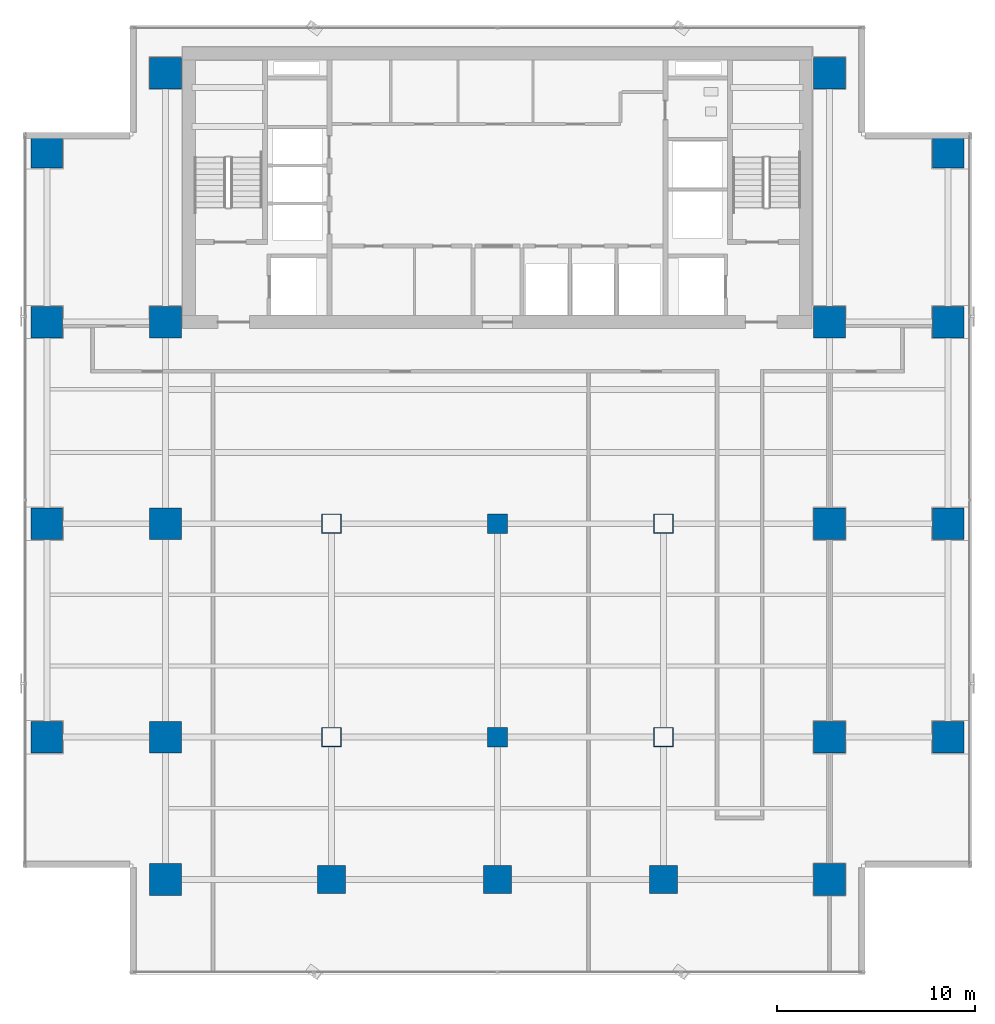
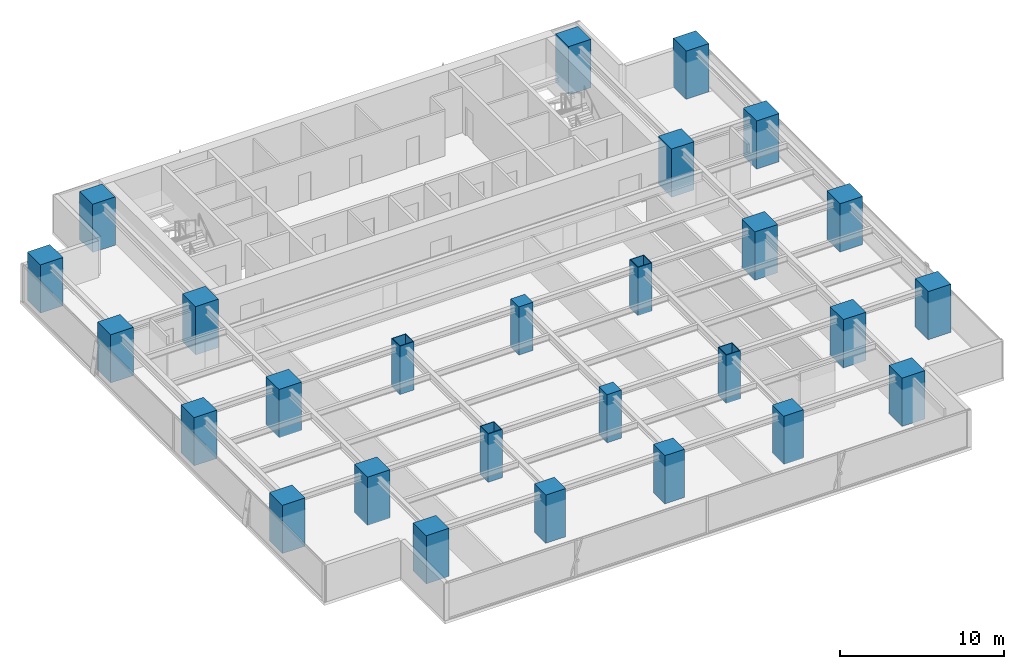
# One storey, part 1 of 27: 27 columns.
"""IFC4 building model written with IfcOpenShell, lengths in metres."""

from ifc_helpers import new_model, si_unit, direction, frame, origin, origin_2d, place, context, subcontext, project, spatial, rectangle, hollow_rectangle, extrude, source, transform, mapped, material, material_profile, profile_set, type_object, element, save


model = new_model("IFC4")

# Units and contexts
model_context = context("Model", 3, precision=1e-05, world=origin(), true_north=direction((0.0, 1.0)))
body_context = subcontext(model_context, "Body", "Model", "MODEL_VIEW")
ifc_project = project(units=[si_unit("LENGTHUNIT", "METRE"), si_unit("AREAUNIT", "SQUARE_METRE"), si_unit("VOLUMEUNIT", "CUBIC_METRE"), si_unit("PLANEANGLEUNIT", "RADIAN"), si_unit("MASSUNIT", "GRAM", prefix="KILO")], contexts=[model_context])

# Site, building, storey
site_placement = place(None, origin())
site = spatial("IfcSite", under=ifc_project, at=site_placement, CompositionType="ELEMENT")
building_placement = place(site_placement, origin())
building = spatial("IfcBuilding", under=site, at=building_placement, Name="Sumidabori Civic Tower", CompositionType="ELEMENT")
storey_placement = place(building_placement, frame((0.0, 0.0, 160.39990234375)))
storey = spatial("IfcBuildingStorey", under=building, at=storey_placement, Name="L41", CompositionType="ELEMENT", Elevation=160.39990234375)

# Columns
ifc_material_1 = material(Name="Concrete C60/75", Category="concrete")
ifc_material_profile_1 = material_profile(ifc_material_1, rectangle(XDim=1.60009765625, YDim=1.60009765625, at=origin_2d()), Name="RC 1600x1600")
ifc_profile_set_1 = profile_set([ifc_material_profile_1], Name="Concrete C60/75")
column_type_1 = type_object("IfcColumnType", Name="CL-MEGA-1600", PredefinedType="COLUMN", material=ifc_profile_set_1)
shared_shape_1 = source(origin(), body_context, "Body", "SweptSolid", [
    extrude(rectangle(XDim=1.60009765625, YDim=1.60009765625, at=origin_2d()), origin(), (0.0, 0.0, 1.0), 3.60009765625),
])
for number, where, z_axis, x_axis, name in (
    (1, (-16.800048828125, -18.0, 0.0), (0.0, 0.0, 1.0), (1.0, 0.0, 0.0), "Column MC-W16-Y18S L41"),
    (2, (-16.800048828125, -10.800048828125, 0.0), (0.0, 0.0, 1.0), (1.0, 0.0, 0.0), "Column MC-W16-Y11S L41"),
    (3, (-16.800048828125, 0.0, 0.0), (0.0, 0.0, 1.0), (1.0, 0.0, 0.0), "Column MC-W16-Y00 L41"),
    (4, (-16.800048828125, 10.199951171875, 0.0), (0.0, 0.0, 1.0), (1.0, 0.0, 0.0), "Column MC-W16-Y10N L41"),
    (5, (-16.800048828125, 22.800048828125, 0.0), (0.0, 0.0, 1.0), (1.0, 0.0, 0.0), "Column MC-W16-Y23N L41"),
    (6, (16.800048828125, -18.0, 0.0), (0.0, 0.0, 1.0), (1.0, 0.0, 0.0), "Column MC-E16-Y18S L41"),
    (7, (16.800048828125, -10.800048828125, 0.0), (0.0, 0.0, 1.0), (1.0, 0.0, 0.0), "Column MC-E16-Y11S L41"),
    (8, (16.800048828125, 0.0, 0.0), (0.0, 0.0, 1.0), (1.0, 0.0, 0.0), "Column MC-E16-Y00 L41"),
    (9, (16.800048828125, 10.199951171875, 0.0), (0.0, 0.0, 1.0), (1.0, 0.0, 0.0), "Column MC-E16-Y10N L41"),
    (10, (16.800048828125, 22.800048828125, 0.0), (0.0, 0.0, 1.0), (1.0, 0.0, 0.0), "Column MC-E16-Y23N L41"),
    (11, (-22.800048828125, -10.800048828125, 0.0), (0.0, 0.0, 1.0), (1.0, 0.0, 0.0), "Column MC-W23-Y11S L41"),
    (12, (-22.800048828125, 0.0, 0.0), (0.0, 0.0, 1.0), (1.0, 0.0, 0.0), "Column MC-W23-Y00 L41"),
    (13, (-22.800048828125, 10.199951171875, 0.0), (0.0, 0.0, 1.0), (1.0, 0.0, 0.0), "Column MC-W23-Y10N L41"),
    (14, (-22.800048828125, 18.800048828125, 0.0), (0.0, 0.0, 1.0), (1.0, 0.0, 0.0), "Column MC-W23-Y19N L41"),
    (15, (22.800048828125, -10.800048828125, 0.0), (0.0, 0.0, 1.0), (1.0, 0.0, 0.0), "Column MC-E23-Y11S L41"),
    (16, (22.800048828125, 0.0, 0.0), (0.0, 0.0, 1.0), (1.0, 0.0, 0.0), "Column MC-E23-Y00 L41"),
    (17, (22.800048828125, 10.199951171875, 0.0), (0.0, 0.0, 1.0), (1.0, 0.0, 0.0), "Column MC-E23-Y10N L41"),
    (18, (22.800048828125, 18.800048828125, 0.0), (0.0, 0.0, 1.0), (1.0, 0.0, 0.0), "Column MC-E23-Y19N L41"),
):
    element("IfcColumn", number, at=place(storey_placement, frame(where, z_axis=z_axis, x_axis=x_axis)), inside=storey, type_object=column_type_1, Name=name, PredefinedType="COLUMN", context=body_context, shape_type="MappedRepresentation", body=[
        mapped(shared_shape_1, transform((0.0, 0.0, 0.0), x_axis=(1.0, 0.0, 0.0), y_axis=(0.0, 1.0, 0.0), z_axis=(0.0, 0.0, 1.0), scale=1.0)),
    ])
ifc_material_2 = material(Name="Steel SM570", Category="steel")
ifc_material_profile_2 = material_profile(ifc_material_2, hollow_rectangle(XDim=1.0, YDim=1.0, WallThickness=0.044921875, at=origin_2d()), Name="SHS 1000x1000x45")
ifc_profile_set_2 = profile_set([ifc_material_profile_2], Name="Steel SM570")
column_type_2 = type_object("IfcColumnType", Name="CL-PORTAL-SHS1000", PredefinedType="COLUMN", material=ifc_profile_set_2)
shared_shape_2 = source(origin(), body_context, "Body", "SweptSolid", [
    extrude(hollow_rectangle(XDim=1.0, YDim=1.0, WallThickness=0.044921875, at=origin_2d()), origin(), (0.0, 0.0, 1.0), 3.60009765625),
])
for number, where, z_axis, x_axis, name in (
    (19, (-8.39990234375, 0.0, 0.0), (0.0, 0.0, 1.0), (1.0, 0.0, 0.0), "Column MC-W08-Y00 L41"),
    (20, (-8.39990234375, -10.800048828125, 0.0), (0.0, 0.0, 1.0), (1.0, 0.0, 0.0), "Column MC-W08-Y11S L41"),
    (21, (8.39990234375, 0.0, 0.0), (0.0, 0.0, 1.0), (1.0, 0.0, 0.0), "Column MC-E08-Y00 L41"),
    (22, (8.39990234375, -10.800048828125, 0.0), (0.0, 0.0, 1.0), (1.0, 0.0, 0.0), "Column MC-E08-Y11S L41"),
):
    element("IfcColumn", number, at=place(storey_placement, frame(where, z_axis=z_axis, x_axis=x_axis)), inside=storey, type_object=column_type_2, Name=name, PredefinedType="COLUMN", context=body_context, shape_type="MappedRepresentation", body=[
        mapped(shared_shape_2, transform((0.0, 0.0, 0.0), x_axis=(1.0, 0.0, 0.0), y_axis=(0.0, 1.0, 0.0), z_axis=(0.0, 0.0, 1.0), scale=1.0)),
    ])
ifc_material_profile_3 = material_profile(ifc_material_1, rectangle(XDim=1.39990234375, YDim=1.39990234375, at=origin_2d()), Name="RC 1400x1400")
ifc_profile_set_3 = profile_set([ifc_material_profile_3], Name="Concrete C60/75")
column_type_3 = type_object("IfcColumnType", Name="CL-MEGA-1400", PredefinedType="COLUMN", material=ifc_profile_set_3)
shared_shape_3 = source(origin(), body_context, "Body", "SweptSolid", [
    extrude(rectangle(XDim=1.39990234375, YDim=1.39990234375, at=origin_2d()), origin(), (0.0, 0.0, 1.0), 3.60009765625),
])
for number, where, z_axis, x_axis, name in (
    (23, (-8.39990234375, -18.0, 0.0), (0.0, 0.0, 1.0), (1.0, 0.0, 0.0), "Column MC-W08-Y18S L41"),
    (24, (8.39990234375, -18.0, 0.0), (0.0, 0.0, 1.0), (1.0, 0.0, 0.0), "Column MC-E08-Y18S L41"),
    (25, (0.0, -18.0, 0.0), (0.0, 0.0, 1.0), (1.0, 0.0, 0.0), "Column MC-C00-Y18S L41"),
):
    element("IfcColumn", number, at=place(storey_placement, frame(where, z_axis=z_axis, x_axis=x_axis)), inside=storey, type_object=column_type_3, Name=name, PredefinedType="COLUMN", context=body_context, shape_type="MappedRepresentation", body=[
        mapped(shared_shape_3, transform((0.0, 0.0, 0.0), x_axis=(1.0, 0.0, 0.0), y_axis=(0.0, 1.0, 0.0), z_axis=(0.0, 0.0, 1.0), scale=1.0)),
    ])
ifc_material_3 = material(Name="Concrete C50/60", Category="concrete")
ifc_material_profile_4 = material_profile(ifc_material_3, rectangle(XDim=1.0, YDim=1.0, at=origin_2d()), Name="RC 1000x1000")
ifc_profile_set_4 = profile_set([ifc_material_profile_4], Name="Concrete C50/60")
column_type_4 = type_object("IfcColumnType", Name="CL-INT-1000", PredefinedType="COLUMN", material=ifc_profile_set_4)
shared_shape_4 = source(origin(), body_context, "Body", "SweptSolid", [
    extrude(rectangle(XDim=1.0, YDim=1.0, at=origin_2d()), origin(), (0.0, 0.0, 1.0), 3.60009765625),
])
for number, where, z_axis, x_axis, name in (
    (26, (0.0, -10.800048828125, 0.0), (0.0, 0.0, 1.0), (1.0, 0.0, 0.0), "Column MC-C00-Y11S L41"),
    (27, (0.0, 0.0, 0.0), (0.0, 0.0, 1.0), (1.0, 0.0, 0.0), "Column MC-C00-Y00 L41"),
):
    element("IfcColumn", number, at=place(storey_placement, frame(where, z_axis=z_axis, x_axis=x_axis)), inside=storey, type_object=column_type_4, Name=name, PredefinedType="COLUMN", context=body_context, shape_type="MappedRepresentation", body=[
        mapped(shared_shape_4, transform((0.0, 0.0, 0.0), x_axis=(1.0, 0.0, 0.0), y_axis=(0.0, 1.0, 0.0), z_axis=(0.0, 0.0, 1.0), scale=1.0)),
    ])

save(model, "model.ifc")
